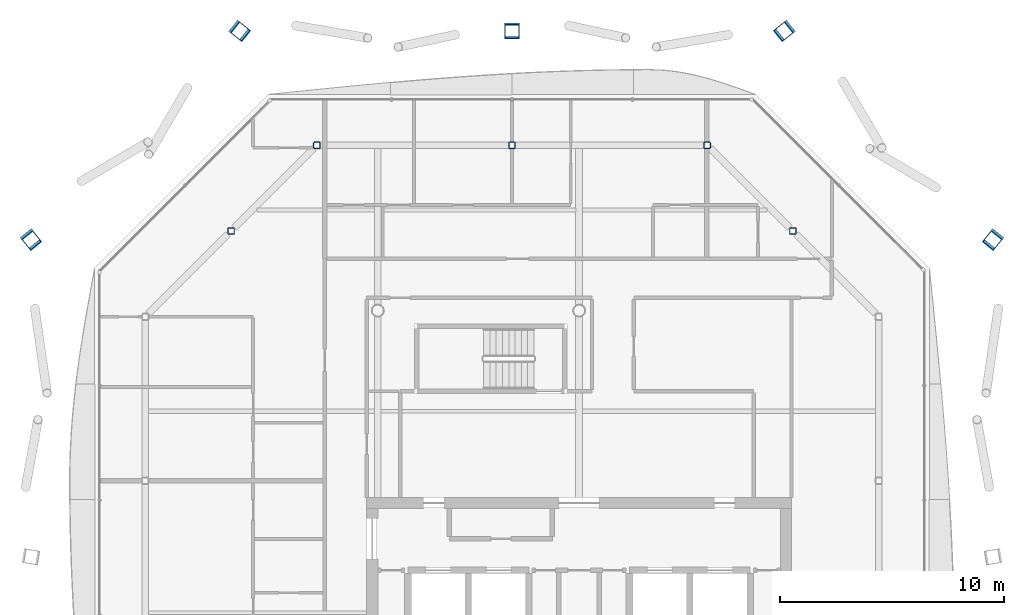
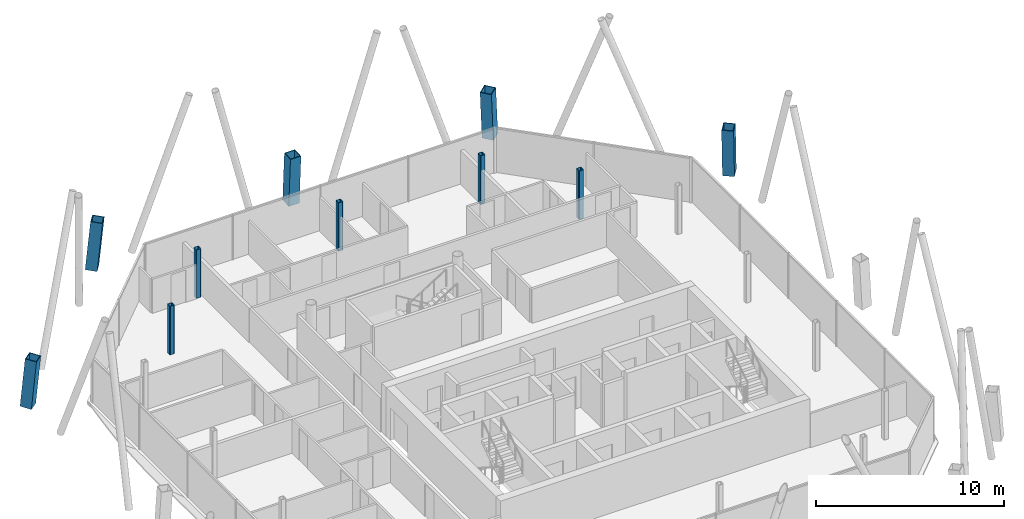
# One storey, part 3 of 17: 10 columns.
"""IFC4 building model written with IfcOpenShell, lengths in metres."""

from ifc_helpers import new_model, si_unit, direction, frame, origin, origin_2d, place, context, subcontext, project, spatial, hollow_rectangle, extrude, material, material_profile, profile_set, type_object, element, save


model = new_model("IFC4")

# Units and contexts
model_context = context("Model", 3, precision=1e-05, world=origin(), true_north=direction((0.0, 1.0)))
body_context = subcontext(model_context, "Body", "Model", "MODEL_VIEW")
ifc_project = project(units=[si_unit("LENGTHUNIT", "METRE"), si_unit("AREAUNIT", "SQUARE_METRE"), si_unit("VOLUMEUNIT", "CUBIC_METRE"), si_unit("PLANEANGLEUNIT", "RADIAN"), si_unit("MASSUNIT", "GRAM", prefix="KILO")], contexts=[model_context])

# Site, building, storey
site_placement = place(None, origin())
site = spatial("IfcSite", under=ifc_project, at=site_placement, CompositionType="ELEMENT")
building_placement = place(site_placement, origin())
building = spatial("IfcBuilding", under=site, at=building_placement, Name="Tskaro Facet Tower", CompositionType="ELEMENT")
storey_placement = place(building_placement, frame((0.0, 0.0, 226.64990234375)))
storey = spatial("IfcBuildingStorey", under=building, at=storey_placement, Name="L58", CompositionType="ELEMENT", Elevation=226.64990234375)

# Columns
ifc_material_1 = material(Name="Steel S355J2", Category="steel")
ifc_material_profile_1 = material_profile(ifc_material_1, hollow_rectangle(XDim=0.64990234375, YDim=0.64990234375, WallThickness=0.0400390625, at=origin_2d()), Name="BOX 650x650x40")
ifc_profile_set_1 = profile_set([ifc_material_profile_1], Name="Steel S355J2")
column_type_1 = type_object("IfcColumnType", Name="BOX 650x650x40 mega column", PredefinedType="COLUMN", material=ifc_profile_set_1)
for number, where, z_axis, x_axis, name in (
    (1, (18.537109375, 12.215087890625, 0.0), (-0.057878432863, -0.07176925675, 0.995740558978), (0.778413039475, -0.62775245119, 0.0), "BOX 650x650x40 MC06/5"),
    (2, (9.215087890625, 21.537109375, 0.0), (-0.07176925675, -0.057878432863, 0.995740558978), (0.62775245119, -0.778413039475, 0.0), "BOX 650x650x40 MC07/5"),
):
    element("IfcColumn", number, at=place(storey_placement, frame(where, z_axis=z_axis, x_axis=x_axis)), inside=storey, type_object=column_type_1, Name=name, PredefinedType="COLUMN", context=body_context, shape_type="SweptSolid", body=[
        extrude(hollow_rectangle(XDim=0.64990234375, YDim=0.64990234375, WallThickness=0.0400390625, at=origin_2d()), origin(), (0.0, 0.0, 1.0), 3.16357421875),
    ])
column_placement = place(storey_placement, frame((-3.0, 21.537109375, 0.0), z_axis=(0.0, -0.058028072061, 0.998314951733), x_axis=(1.0, 0.0, 0.0)))
element("IfcColumn", 3, at=column_placement, inside=storey, type_object=column_type_1, Name="BOX 650x650x40 MC08/5", PredefinedType="COLUMN", context=body_context, shape_type="SweptSolid", body=[
    extrude(hollow_rectangle(XDim=0.64990234375, YDim=0.64990234375, WallThickness=0.0400390625, at=origin_2d()), origin(), (0.0, 0.0, 1.0), 3.155517578125),
])
for number, where, z_axis, x_axis, name in (
    (4, (-15.215087890625, 21.537109375, 0.0), (0.07176925675, -0.057878432863, 0.995740558978), (0.62775245119, 0.778413039475, 0.0), "BOX 650x650x40 MC09/5"),
    (5, (-24.537109375, 12.215087890625, 0.0), (0.057878432863, -0.07176925675, 0.995740558978), (0.778413039475, 0.62775245119, 0.0), "BOX 650x650x40 MC10/5"),
):
    element("IfcColumn", number, at=place(storey_placement, frame(where, z_axis=z_axis, x_axis=x_axis)), inside=storey, type_object=column_type_1, Name=name, PredefinedType="COLUMN", context=body_context, shape_type="SweptSolid", body=[
        extrude(hollow_rectangle(XDim=0.64990234375, YDim=0.64990234375, WallThickness=0.0400390625, at=origin_2d()), origin(), (0.0, 0.0, 1.0), 3.16357421875),
    ])
ifc_material_2 = material(Name="Steel S355J2H", Category="steel")
ifc_material_profile_2 = material_profile(ifc_material_2, hollow_rectangle(XDim=0.300048828125, YDim=0.300048828125, WallThickness=0.02001953125, InnerFilletRadius=0.030029296875, OuterFilletRadius=0.050048828125, at=origin_2d()), Name="SHS 300x300x20")
ifc_profile_set_2 = profile_set([ifc_material_profile_2], Name="Steel S355J2H")
column_type_2 = type_object("IfcColumnType", Name="SHS 300x300x20 ring column", PredefinedType="COLUMN", material=ifc_profile_set_2)
for number, where, z_axis, x_axis, name in (
    (6, (9.55810546875, 12.55810546875, 0.0), (0.0, 0.0, 1.0), (1.0, 0.0, 0.0), "SHS 300x300x20 RNE-2/5"),
    (7, (5.72509765625, 16.39111328125, 0.0), (0.0, 0.0, 1.0), (1.0, 0.0, 0.0), "SHS 300x300x20 RN-1/5"),
    (8, (-3.0, 16.39111328125, 0.0), (0.0, 0.0, 1.0), (1.0, 0.0, 0.0), "SHS 300x300x20 RN-2/5"),
    (9, (-11.72509765625, 16.39111328125, 0.0), (0.0, 0.0, 1.0), (1.0, 0.0, 0.0), "SHS 300x300x20 RNW-1/5"),
    (10, (-15.55810546875, 12.55810546875, 0.0), (0.0, 0.0, 1.0), (1.0, 0.0, 0.0), "SHS 300x300x20 RNW-2/5"),
):
    element("IfcColumn", number, at=place(storey_placement, frame(where, z_axis=z_axis, x_axis=x_axis)), inside=storey, type_object=column_type_2, Name=name, PredefinedType="COLUMN", context=body_context, shape_type="SweptSolid", body=[
        extrude(hollow_rectangle(XDim=0.300048828125, YDim=0.300048828125, WallThickness=0.02001953125, InnerFilletRadius=0.030029296875, OuterFilletRadius=0.050048828125, at=origin_2d()), origin(), (0.0, 0.0, 1.0), 3.150146484375),
    ])

save(model, "model.ifc")
